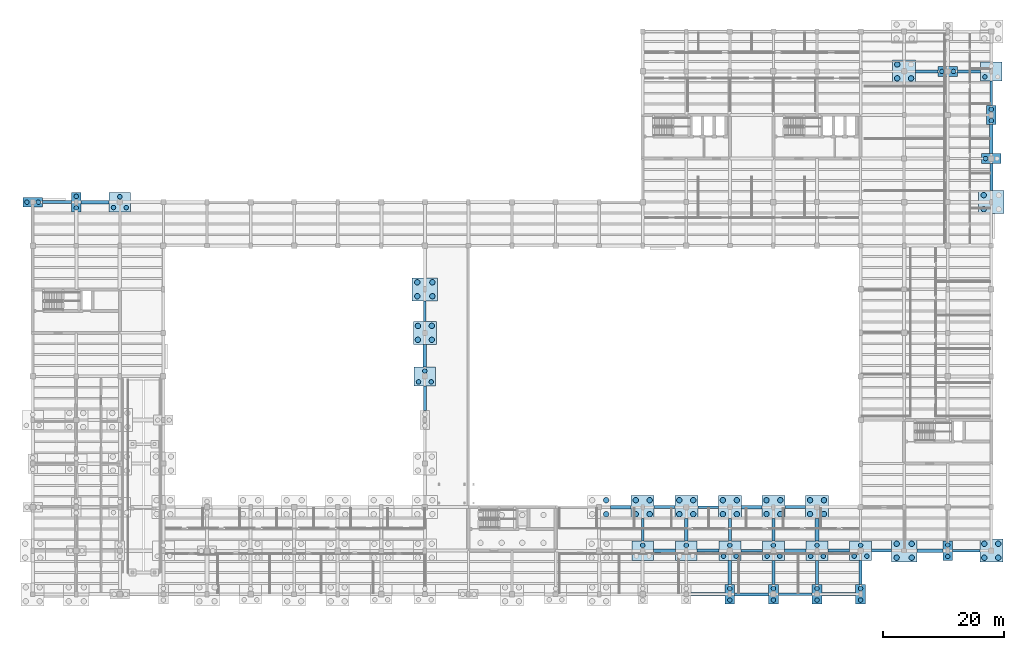
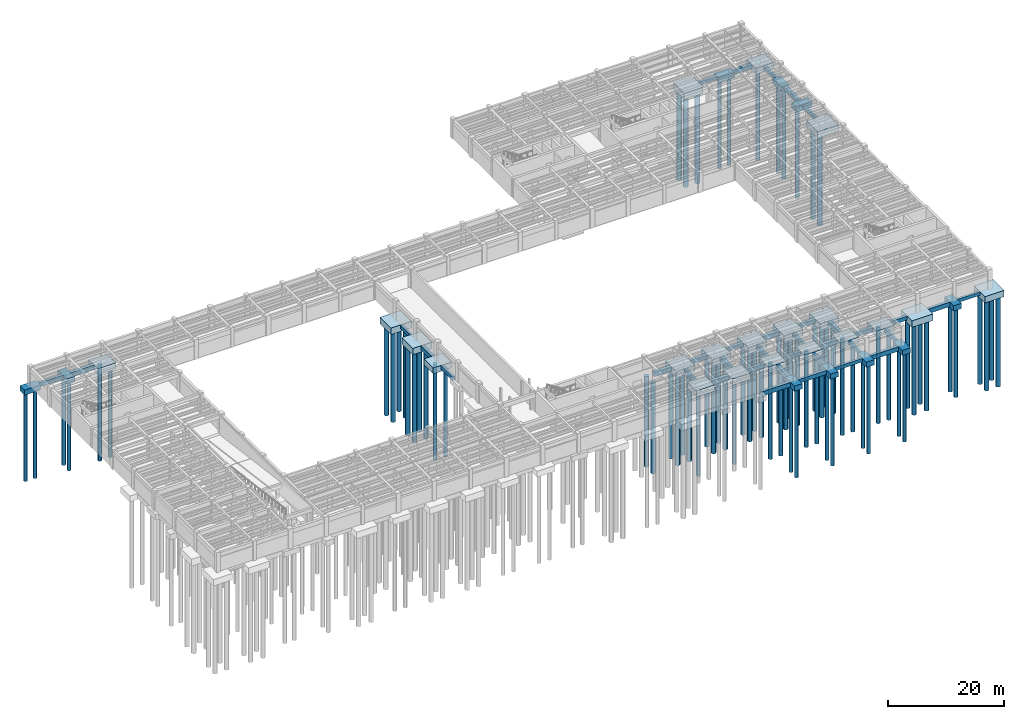
# One storey, part 3 of 33: 83 piles, 66 footings.
"""IFC4 building model written with IfcOpenShell, lengths in metres."""

import ifcopenshell
import ifcopenshell.guid

model = None  # the IFC model being written
_history = None  # IfcOwnerHistory: only IFC2X3 demands one
_inside = {}  # id of a spatial element -> (the spatial element, [elements in it])
_under = {}  # id of a project, library or spatial element -> (it, [spatial elements below it])
_declared = {}  # id of a project -> (the project, [libraries it declares])
_typed = {}  # id of a type object -> (the type object, [elements of that type])
_made_of = {}  # id of a material, layer set ... -> (it, [elements and type objects made of it])


def new_model(schema):
    """Start an empty IFC model of exactly this schema.

    Asked for "IFC4X3", IfcOpenShell would pick the latest addendum, in which some entities
    have other attributes; the version numbers below select the first issue.
    IFC2X3 requires an IfcOwnerHistory on every rooted entity: one is made here for all.
    """
    global model, _history
    if schema == "IFC4X3":
        model = ifcopenshell.file(schema_version=(4, 3, 0, 0))
    else:
        model = ifcopenshell.file(schema=schema)
    _inside.clear()
    _under.clear()
    _declared.clear()
    _typed.clear()
    _made_of.clear()
    _history = None
    if model.schema == "IFC2X3":
        org = make("IfcOrganization", Name="unknown")
        user = make(
            "IfcPersonAndOrganization",
            ThePerson=make("IfcPerson", FamilyName="unknown"),
            TheOrganization=org,
        )
        app = make(
            "IfcApplication",
            ApplicationDeveloper=org,
            Version="unknown",
            ApplicationFullName="unknown",
            ApplicationIdentifier="unknown",
        )
        _history = make(
            "IfcOwnerHistory",
            OwningUser=user,
            OwningApplication=app,
            ChangeAction="ADDED",
            CreationDate=0,
        )
    return model


def make(cls, **values):
    """One entity of the class cls with the attributes given. An attribute that is None is left unset."""
    return model.create_entity(
        cls, **{name: value for name, value in values.items() if value is not None}
    )


def rooted(cls, **values):
    """An entity with a GlobalId (a new one), such as an element, a storey or a relation."""
    return make(cls, GlobalId=ifcopenshell.guid.new(), OwnerHistory=_history, **values)


def si_unit(unit_type, name, prefix=None):
    """IfcSIUnit, for example si_unit("LENGTHUNIT", "METRE", prefix="MILLI")."""
    return make("IfcSIUnit", UnitType=unit_type, Prefix=prefix, Name=name)


def assignment(units):
    """IfcUnitAssignment: the units of a project."""
    return None if units is None else make("IfcUnitAssignment", Units=units)


def point(xyz):
    """IfcCartesianPoint."""
    return None if xyz is None else make("IfcCartesianPoint", Coordinates=xyz)


def direction(xyz):
    """IfcDirection."""
    return None if xyz is None else make("IfcDirection", DirectionRatios=xyz)


def frame(location, z_axis=None, x_axis=None):
    """IfcAxis2Placement3D, a coordinate frame: its origin and axes. An axis left out is left unset."""
    return make(
        "IfcAxis2Placement3D",
        Location=point(location),
        Axis=direction(z_axis),
        RefDirection=direction(x_axis),
    )


def frame_2d(location, x_axis=None):
    """IfcAxis2Placement2D, a coordinate frame in the plane: its origin and x axis."""
    return make(
        "IfcAxis2Placement2D", Location=point(location), RefDirection=direction(x_axis)
    )


def origin():
    """The frame at (0, 0, 0) with its axes left unset."""
    return frame((0.0, 0.0, 0.0))


def origin_2d():
    """The frame at (0, 0) in the plane with its x axis left unset."""
    return frame_2d((0.0, 0.0))


def place(relative_to, where):
    """IfcLocalPlacement: puts the frame where relative to a parent placement (None: the world)."""
    return make(
        "IfcLocalPlacement", PlacementRelTo=relative_to, RelativePlacement=where
    )


def context(
    kind, dimensions, precision=None, world=None, true_north=None, identifier=None
):
    """IfcGeometricRepresentationContext, for example the 3D "Model" context."""
    return make(
        "IfcGeometricRepresentationContext",
        ContextIdentifier=identifier,
        ContextType=kind,
        CoordinateSpaceDimension=dimensions,
        Precision=precision,
        WorldCoordinateSystem=world,
        TrueNorth=true_north,
    )


def subcontext(parent, identifier, kind, view, scale=None):
    """IfcGeometricRepresentationSubContext, for example "Body" below "Model"."""
    return make(
        "IfcGeometricRepresentationSubContext",
        ContextIdentifier=identifier,
        ContextType=kind,
        ParentContext=parent,
        TargetScale=scale,
        TargetView=view,
    )


def project(units=None, contexts=None):
    """IfcProject with its units and contexts."""
    return rooted(
        "IfcProject",
        Name="project",
        RepresentationContexts=contexts,
        UnitsInContext=assignment(units),
    )


def spatial(cls, under=None, at=None, **own):
    """A site, building, storey or space (cls), placed at a placement, below another one or the project."""
    s = rooted(cls, ObjectPlacement=at, **own)
    if under is not None:
        _under.setdefault(under.id(), (under, []))[1].append(s)
    return s


def profile(cls, at=None, kind="AREA", **sizes):
    """A parametric profile (cls). Its sizes go by their IFC names, for example OverallWidth=200.0."""
    return make(cls, ProfileType=kind, Position=at, **sizes)


def rectangle(**sizes):
    """IfcRectangleProfileDef."""
    return profile("IfcRectangleProfileDef", **sizes)


def circle(**sizes):
    """IfcCircleProfileDef."""
    return profile("IfcCircleProfileDef", **sizes)


def extrude(swept, where, along, depth):
    """IfcExtrudedAreaSolid: the profile swept, set in the frame where, extruded along a direction by depth."""
    return make(
        "IfcExtrudedAreaSolid",
        SweptArea=swept,
        Position=where,
        ExtrudedDirection=direction(along),
        Depth=depth,
    )


def shape(context_of_items, identifier, shape_type, items):
    """IfcShapeRepresentation: the items that make up one representation, for example the "Body"."""
    return make(
        "IfcShapeRepresentation",
        ContextOfItems=context_of_items,
        RepresentationIdentifier=identifier,
        RepresentationType=shape_type,
        Items=items,
    )


def material(Name=None, Category=None):
    """IfcMaterial."""
    return make("IfcMaterial", Name=Name, Category=Category)


def material_profile(
    of_material, cross_section, Name=None, Category=None, Priority=None
):
    """IfcMaterialProfile: a cross section and its material."""
    return make(
        "IfcMaterialProfile",
        Name=Name,
        Material=of_material,
        Profile=cross_section,
        Priority=Priority,
        Category=Category,
    )


def profile_set(profiles, Name=None, composite=None):
    """IfcMaterialProfileSet."""
    return make(
        "IfcMaterialProfileSet",
        Name=Name,
        MaterialProfiles=profiles,
        CompositeProfile=composite,
    )


def made_of(thing, what):
    """Note that an element or type object is made of a material, layer set ...; save() writes the relation."""
    if what is not None:
        _made_of.setdefault(what.id(), (what, []))[1].append(thing)
    return thing


def type_object(cls, material=None, **own):
    """A type object (cls), such as IfcWallType, which elements share."""
    return made_of(rooted(cls, **own), material)


def element(
    cls,
    number,
    at=None,
    inside=None,
    cuts=None,
    type_object=None,
    material=None,
    context=None,
    identifier="Body",
    shape_type=None,
    held_by="IfcProductDefinitionShape",
    body=None,
    shapes=None,
    **own,
):
    """One element of the class cls, such as IfcWall. Its Tag is "e" and its number.

    at: its placement. inside: the storey or other place that contains it. cuts: it is an
    opening in that element (IfcRelVoidsElement). A single representation is given by context,
    identifier, shape_type and body (its items); several are given by shapes. held_by: the class
    of the entity that holds the representations. save() writes the other relations.
    """
    e = rooted(cls, Tag="e%d" % number, ObjectPlacement=at, **own)
    if body is not None:
        shapes = [shape(context, identifier, shape_type, body)]
    if shapes is not None:
        e.Representation = make(held_by, Representations=shapes)
    if inside is not None:
        _inside.setdefault(inside.id(), (inside, []))[1].append(e)
    if cuts is not None:
        rooted(
            "IfcRelVoidsElement", RelatingBuildingElement=cuts, RelatedOpeningElement=e
        )
    if type_object is not None:
        _typed.setdefault(type_object.id(), (type_object, []))[1].append(e)
    return made_of(e, material)


def aggregate(whole, parts):
    """IfcRelAggregates: a whole, such as a stair, and the parts it consists of."""
    return rooted("IfcRelAggregates", RelatingObject=whole, RelatedObjects=parts)


def save(model, path):
    """Write the relations noted so far, then the file.

    IfcRelAggregates (storeys below a building ...), IfcRelContainedInSpatialStructure (elements
    in a storey), IfcRelDefinesByType, IfcRelAssociatesMaterial and IfcRelDeclares: one each for
    every whole, place, type object, material and project.
    """
    for whole, parts in _under.values():
        aggregate(whole, parts)
    for where, things in _inside.values():
        rooted(
            "IfcRelContainedInSpatialStructure",
            RelatedElements=things,
            RelatingStructure=where,
        )
    for kind, things in _typed.values():
        rooted("IfcRelDefinesByType", RelatedObjects=things, RelatingType=kind)
    for what, things in _made_of.values():
        rooted("IfcRelAssociatesMaterial", RelatedObjects=things, RelatingMaterial=what)
    for by, libraries in _declared.values():
        rooted("IfcRelDeclares", RelatingContext=by, RelatedDefinitions=libraries)
    model.write(path)


model = new_model("IFC4")

# Units and contexts
model_context = context("Model", 3, precision=1e-05, world=origin(), true_north=direction((0.0, 1.0)))
body_context = subcontext(model_context, "Body", "Model", "MODEL_VIEW")
ifc_project = project(units=[si_unit("LENGTHUNIT", "METRE"), si_unit("AREAUNIT", "SQUARE_METRE"), si_unit("VOLUMEUNIT", "CUBIC_METRE"), si_unit("PLANEANGLEUNIT", "RADIAN"), si_unit("MASSUNIT", "GRAM", prefix="KILO")], contexts=[model_context])

# Site, building, storey
site_placement = place(None, origin())
site = spatial("IfcSite", under=ifc_project, at=site_placement, CompositionType="ELEMENT")
building_placement = place(site_placement, origin())
building = spatial("IfcBuilding", under=site, at=building_placement, Name="Mithqara Police Headquarters", CompositionType="ELEMENT")
storey_placement = place(building_placement, frame((0.0, 0.0, -4.199951171875)))
storey = spatial("IfcBuildingStorey", under=building, at=storey_placement, Name="B1", CompositionType="ELEMENT", Elevation=-4.199951171875)

# Footings
ifc_material = material(Name="Concrete C40/50", Category="concrete")
footing_type_1 = type_object("IfcFootingType", Name="GROUND BEAM 450X750", PredefinedType="FOOTING_BEAM", material=ifc_material)
footing_1_placement = place(storey_placement, frame((72.60009765625, 67.800048828125, -0.75), z_axis=(0.0, 0.0, 1.0), x_axis=(1.0, 0.0, 0.0)))
element("IfcFooting", 1, at=footing_1_placement, inside=storey, type_object=footing_type_1, Name="B1 Ground Tie Beam 11/K-L", PredefinedType="FOOTING_BEAM", context=body_context, shape_type="SweptSolid", body=[
    extrude(rectangle(XDim=0.449951171875, YDim=3.39990234375, at=origin_2d()), origin(), (0.0, 0.0, 1.0), 0.75),
])
footing_2_placement = place(storey_placement, frame((108.60009765625, 31.64990234375, -0.75), z_axis=(0.0, 0.0, 1.0), x_axis=(1.0, 0.0, 0.0)))
element("IfcFooting", 2, at=footing_2_placement, inside=storey, type_object=footing_type_1, Name="B1 Ground Tie Beam 16/E-F", PredefinedType="FOOTING_BEAM", context=body_context, shape_type="SweptSolid", body=[
    extrude(rectangle(XDim=0.449951171875, YDim=3.699951171875, at=origin_2d()), origin(), (0.0, 0.0, 1.0), 0.75),
])
footing_3_placement = place(storey_placement, frame((119.39990234375, 35.39990234375, -0.75), z_axis=(0.0, 0.0, 1.0), x_axis=(1.0, 0.0, 0.0)))
element("IfcFooting", 3, at=footing_3_placement, inside=storey, type_object=footing_type_1, Name="B1 Ground Tie Beam 17-18/F", PredefinedType="FOOTING_BEAM", context=body_context, shape_type="SweptSolid", body=[
    extrude(rectangle(XDim=3.39990234375, YDim=0.449951171875, at=origin_2d()), origin(), (0.0, 0.0, 1.0), 0.75),
])
footing_4_placement = place(storey_placement, frame((126.60009765625, 28.199951171875, -0.75), z_axis=(0.0, 0.0, 1.0), x_axis=(1.0, 0.0, 0.0)))
element("IfcFooting", 4, at=footing_4_placement, inside=storey, type_object=footing_type_1, Name="B1 Ground Tie Beam 18-19/E", PredefinedType="FOOTING_BEAM", context=body_context, shape_type="SweptSolid", body=[
    extrude(rectangle(XDim=3.60009765625, YDim=0.449951171875, at=origin_2d()), origin(), (0.0, 0.0, 1.0), 0.75),
])
footing_5_placement = place(storey_placement, frame((133.800048828125, 21.0, -0.75), z_axis=(0.0, 0.0, 1.0), x_axis=(1.0, 0.0, 0.0)))
element("IfcFooting", 5, at=footing_5_placement, inside=storey, type_object=footing_type_1, Name="B1 Ground Tie Beam 19-20/D", PredefinedType="FOOTING_BEAM", context=body_context, shape_type="SweptSolid", body=[
    extrude(rectangle(XDim=5.60009765625, YDim=0.449951171875, at=origin_2d()), origin(), (0.0, 0.0, 1.0), 0.75),
])
footing_6_placement = place(storey_placement, frame((130.199951171875, 31.64990234375, -0.75), z_axis=(0.0, 0.0, 1.0), x_axis=(1.0, 0.0, 0.0)))
element("IfcFooting", 6, at=footing_6_placement, inside=storey, type_object=footing_type_1, Name="B1 Ground Tie Beam 19/E-F", PredefinedType="FOOTING_BEAM", context=body_context, shape_type="SweptSolid", body=[
    extrude(rectangle(XDim=0.449951171875, YDim=3.699951171875, at=origin_2d()), origin(), (0.0, 0.0, 1.0), 0.75),
])
for number, where, z_axis, x_axis, name in (
    (7, (137.39990234375, 24.60009765625, -0.75), (0.0, 0.0, 1.0), (1.0, 0.0, 0.0), "B1 Ground Tie Beam 20/D-E"),
    (8, (144.60009765625, 24.60009765625, -0.75), (0.0, 0.0, 1.0), (1.0, 0.0, 0.0), "B1 Ground Tie Beam 21/D-E"),
):
    element("IfcFooting", number, at=place(storey_placement, frame(where, z_axis=z_axis, x_axis=x_axis)), inside=storey, type_object=footing_type_1, Name=name, PredefinedType="FOOTING_BEAM", context=body_context, shape_type="SweptSolid", body=[
        extrude(rectangle(XDim=0.449951171875, YDim=4.0, at=origin_2d()), origin(), (0.0, 0.0, 1.0), 0.75),
    ])
footing_7_placement = place(storey_placement, frame((155.550048828125, 107.39990234375, -0.75), z_axis=(0.0, 0.0, 1.0), x_axis=(1.0, 0.0, 0.0)))
element("IfcFooting", 9, at=footing_7_placement, inside=storey, type_object=footing_type_1, Name="B1 Ground Tie Beam 22-23/R", PredefinedType="FOOTING_BEAM", context=body_context, shape_type="SweptSolid", body=[
    extrude(rectangle(XDim=3.699951171875, YDim=0.449951171875, at=origin_2d()), origin(), (0.0, 0.0, 1.0), 0.75),
])
footing_8_placement = place(storey_placement, frame((162.050048828125, 28.199951171875, -0.75), z_axis=(0.0, 0.0, 1.0), x_axis=(1.0, 0.0, 0.0)))
element("IfcFooting", 10, at=footing_8_placement, inside=storey, type_object=footing_type_1, Name="B1 Ground Tie Beam 23-24/E", PredefinedType="FOOTING_BEAM", context=body_context, shape_type="SweptSolid", body=[
    extrude(rectangle(XDim=4.5, YDim=0.449951171875, at=origin_2d()), origin(), (0.0, 0.0, 1.0), 0.75),
])
footing_9_placement = place(storey_placement, frame((166.199951171875, 103.800048828125, -0.75), z_axis=(0.0, 0.0, 1.0), x_axis=(1.0, 0.0, 0.0)))
element("IfcFooting", 11, at=footing_9_placement, inside=storey, type_object=footing_type_1, Name="B1 Ground Tie Beam 24/Q-R", PredefinedType="FOOTING_BEAM", context=body_context, shape_type="SweptSolid", body=[
    extrude(rectangle(XDim=0.449951171875, YDim=4.0, at=origin_2d()), origin(), (0.0, 0.0, 1.0), 0.75),
])
footing_type_2 = type_object("IfcFootingType", Name="GROUND BEAM 500X850", PredefinedType="FOOTING_BEAM", material=ifc_material)
footing_10_placement = place(storey_placement, frame((11.800048828125, 85.800048828125, -0.85009765625), z_axis=(0.0, 0.0, 1.0), x_axis=(1.0, 0.0, 0.0)))
element("IfcFooting", 12, at=footing_10_placement, inside=storey, type_object=footing_type_2, Name="B1 Ground Tie Beam 2-3/N", PredefinedType="FOOTING_BEAM", context=body_context, shape_type="SweptSolid", body=[
    extrude(rectangle(XDim=4.800048828125, YDim=0.5, at=origin_2d()), origin(), (0.0, 0.0, 1.0), 0.85009765625),
])
footing_11_placement = place(storey_placement, frame((72.60009765625, 53.39990234375, -0.85009765625), z_axis=(0.0, 0.0, 1.0), x_axis=(1.0, 0.0, 0.0)))
element("IfcFooting", 13, at=footing_11_placement, inside=storey, type_object=footing_type_2, Name="B1 Ground Tie Beam 11/H-J", PredefinedType="FOOTING_BEAM", context=body_context, shape_type="SweptSolid", body=[
    extrude(rectangle(XDim=0.5, YDim=4.0, at=origin_2d()), origin(), (0.0, 0.0, 1.0), 0.85009765625),
])
footing_12_placement = place(storey_placement, frame((112.199951171875, 35.39990234375, -0.85009765625), z_axis=(0.0, 0.0, 1.0), x_axis=(1.0, 0.0, 0.0)))
element("IfcFooting", 14, at=footing_12_placement, inside=storey, type_object=footing_type_2, Name="B1 Ground Tie Beam 16-17/F", PredefinedType="FOOTING_BEAM", context=body_context, shape_type="SweptSolid", body=[
    extrude(rectangle(XDim=3.39990234375, YDim=0.5, at=origin_2d()), origin(), (0.0, 0.0, 1.0), 0.85009765625),
])
footing_13_placement = place(storey_placement, frame((119.39990234375, 28.199951171875, -0.85009765625), z_axis=(0.0, 0.0, 1.0), x_axis=(1.0, 0.0, 0.0)))
element("IfcFooting", 15, at=footing_13_placement, inside=storey, type_object=footing_type_2, Name="B1 Ground Tie Beam 17-18/E", PredefinedType="FOOTING_BEAM", context=body_context, shape_type="SweptSolid", body=[
    extrude(rectangle(XDim=3.60009765625, YDim=0.5, at=origin_2d()), origin(), (0.0, 0.0, 1.0), 0.85009765625),
])
footing_14_placement = place(storey_placement, frame((126.60009765625, 21.0, -0.85009765625), z_axis=(0.0, 0.0, 1.0), x_axis=(1.0, 0.0, 0.0)))
element("IfcFooting", 16, at=footing_14_placement, inside=storey, type_object=footing_type_2, Name="B1 Ground Tie Beam 18-19/D", PredefinedType="FOOTING_BEAM", context=body_context, shape_type="SweptSolid", body=[
    extrude(rectangle(XDim=5.60009765625, YDim=0.5, at=origin_2d()), origin(), (0.0, 0.0, 1.0), 0.85009765625),
])
footing_15_placement = place(storey_placement, frame((123.0, 31.64990234375, -0.85009765625), z_axis=(0.0, 0.0, 1.0), x_axis=(1.0, 0.0, 0.0)))
element("IfcFooting", 17, at=footing_15_placement, inside=storey, type_object=footing_type_2, Name="B1 Ground Tie Beam 18/E-F", PredefinedType="FOOTING_BEAM", context=body_context, shape_type="SweptSolid", body=[
    extrude(rectangle(XDim=0.5, YDim=3.699951171875, at=origin_2d()), origin(), (0.0, 0.0, 1.0), 0.85009765625),
])
footing_16_placement = place(storey_placement, frame((130.199951171875, 24.60009765625, -0.85009765625), z_axis=(0.0, 0.0, 1.0), x_axis=(1.0, 0.0, 0.0)))
element("IfcFooting", 18, at=footing_16_placement, inside=storey, type_object=footing_type_2, Name="B1 Ground Tie Beam 19/D-E", PredefinedType="FOOTING_BEAM", context=body_context, shape_type="SweptSolid", body=[
    extrude(rectangle(XDim=0.5, YDim=4.0, at=origin_2d()), origin(), (0.0, 0.0, 1.0), 0.85009765625),
])
footing_17_placement = place(storey_placement, frame((133.800048828125, 35.39990234375, -0.85009765625), z_axis=(0.0, 0.0, 1.0), x_axis=(1.0, 0.0, 0.0)))
element("IfcFooting", 19, at=footing_17_placement, inside=storey, type_object=footing_type_2, Name="B1 Ground Tie Beam 19-20/F", PredefinedType="FOOTING_BEAM", context=body_context, shape_type="SweptSolid", body=[
    extrude(rectangle(XDim=3.39990234375, YDim=0.5, at=origin_2d()), origin(), (0.0, 0.0, 1.0), 0.85009765625),
])
footing_18_placement = place(storey_placement, frame((141.0, 28.199951171875, -0.85009765625), z_axis=(0.0, 0.0, 1.0), x_axis=(1.0, 0.0, 0.0)))
element("IfcFooting", 20, at=footing_18_placement, inside=storey, type_object=footing_type_2, Name="B1 Ground Tie Beam 20-21/E", PredefinedType="FOOTING_BEAM", context=body_context, shape_type="SweptSolid", body=[
    extrude(rectangle(XDim=3.60009765625, YDim=0.5, at=origin_2d()), origin(), (0.0, 0.0, 1.0), 0.85009765625),
])
footing_19_placement = place(storey_placement, frame((148.050048828125, 28.199951171875, -0.85009765625), z_axis=(0.0, 0.0, 1.0), x_axis=(1.0, 0.0, 0.0)))
element("IfcFooting", 21, at=footing_19_placement, inside=storey, type_object=footing_type_2, Name="B1 Ground Tie Beam 21-22/E", PredefinedType="FOOTING_BEAM", context=body_context, shape_type="SweptSolid", body=[
    extrude(rectangle(XDim=3.300048828125, YDim=0.5, at=origin_2d()), origin(), (0.0, 0.0, 1.0), 0.85009765625),
])
footing_20_placement = place(storey_placement, frame((162.5, 107.39990234375, -0.85009765625), z_axis=(0.0, 0.0, 1.0), x_axis=(1.0, 0.0, 0.0)))
element("IfcFooting", 22, at=footing_20_placement, inside=storey, type_object=footing_type_2, Name="B1 Ground Tie Beam 23-24/R", PredefinedType="FOOTING_BEAM", context=body_context, shape_type="SweptSolid", body=[
    extrude(rectangle(XDim=3.800048828125, YDim=0.5, at=origin_2d()), origin(), (0.0, 0.0, 1.0), 0.85009765625),
])
footing_21_placement = place(storey_placement, frame((166.199951171875, 89.949951171875, -0.85009765625), z_axis=(0.0, 0.0, 1.0), x_axis=(1.0, 0.0, 0.0)))
element("IfcFooting", 23, at=footing_21_placement, inside=storey, type_object=footing_type_2, Name="B1 Ground Tie Beam 24/N-P", PredefinedType="FOOTING_BEAM", context=body_context, shape_type="SweptSolid", body=[
    extrude(rectangle(XDim=0.5, YDim=4.5, at=origin_2d()), origin(), (0.0, 0.0, 1.0), 0.85009765625),
])
footing_type_3 = type_object("IfcFootingType", Name="GROUND BEAM 600X950", PredefinedType="FOOTING_BEAM", material=ifc_material)
footing_22_placement = place(storey_placement, frame((18.10009765625, 85.800048828125, -0.9501953125), z_axis=(0.0, 0.0, 1.0), x_axis=(1.0, 0.0, 0.0)))
element("IfcFooting", 24, at=footing_22_placement, inside=storey, type_object=footing_type_3, Name="B1 Ground Tie Beam 3-4/N", PredefinedType="FOOTING_BEAM", context=body_context, shape_type="SweptSolid", body=[
    extrude(rectangle(XDim=4.60009765625, YDim=0.60009765625, at=origin_2d()), origin(), (0.0, 0.0, 1.0), 0.949951171875),
])
footing_23_placement = place(storey_placement, frame((72.60009765625, 60.449951171875, -0.9501953125), z_axis=(0.0, 0.0, 1.0), x_axis=(1.0, 0.0, 0.0)))
element("IfcFooting", 25, at=footing_23_placement, inside=storey, type_object=footing_type_3, Name="B1 Ground Tie Beam 11/J-K", PredefinedType="FOOTING_BEAM", context=body_context, shape_type="SweptSolid", body=[
    extrude(rectangle(XDim=0.60009765625, YDim=3.699951171875, at=origin_2d()), origin(), (0.0, 0.0, 1.0), 0.949951171875),
])
footing_24_placement = place(storey_placement, frame((105.0, 35.39990234375, -0.9501953125), z_axis=(0.0, 0.0, 1.0), x_axis=(1.0, 0.0, 0.0)))
element("IfcFooting", 26, at=footing_24_placement, inside=storey, type_object=footing_type_3, Name="B1 Ground Tie Beam 15-16/F", PredefinedType="FOOTING_BEAM", context=body_context, shape_type="SweptSolid", body=[
    extrude(rectangle(XDim=3.39990234375, YDim=0.60009765625, at=origin_2d()), origin(), (0.0, 0.0, 1.0), 0.949951171875),
])
footing_25_placement = place(storey_placement, frame((112.199951171875, 28.199951171875, -0.9501953125), z_axis=(0.0, 0.0, 1.0), x_axis=(1.0, 0.0, 0.0)))
element("IfcFooting", 27, at=footing_25_placement, inside=storey, type_object=footing_type_3, Name="B1 Ground Tie Beam 16-17/E", PredefinedType="FOOTING_BEAM", context=body_context, shape_type="SweptSolid", body=[
    extrude(rectangle(XDim=3.60009765625, YDim=0.60009765625, at=origin_2d()), origin(), (0.0, 0.0, 1.0), 0.949951171875),
])
footing_26_placement = place(storey_placement, frame((119.39990234375, 21.0, -0.9501953125), z_axis=(0.0, 0.0, 1.0), x_axis=(1.0, 0.0, 0.0)))
element("IfcFooting", 28, at=footing_26_placement, inside=storey, type_object=footing_type_3, Name="B1 Ground Tie Beam 17-18/D", PredefinedType="FOOTING_BEAM", context=body_context, shape_type="SweptSolid", body=[
    extrude(rectangle(XDim=5.60009765625, YDim=0.60009765625, at=origin_2d()), origin(), (0.0, 0.0, 1.0), 0.949951171875),
])
footing_27_placement = place(storey_placement, frame((115.800048828125, 31.64990234375, -0.9501953125), z_axis=(0.0, 0.0, 1.0), x_axis=(1.0, 0.0, 0.0)))
element("IfcFooting", 29, at=footing_27_placement, inside=storey, type_object=footing_type_3, Name="B1 Ground Tie Beam 17/E-F", PredefinedType="FOOTING_BEAM", context=body_context, shape_type="SweptSolid", body=[
    extrude(rectangle(XDim=0.60009765625, YDim=3.699951171875, at=origin_2d()), origin(), (0.0, 0.0, 1.0), 0.949951171875),
])
footing_28_placement = place(storey_placement, frame((123.0, 24.60009765625, -0.9501953125), z_axis=(0.0, 0.0, 1.0), x_axis=(1.0, 0.0, 0.0)))
element("IfcFooting", 30, at=footing_28_placement, inside=storey, type_object=footing_type_3, Name="B1 Ground Tie Beam 18/D-E", PredefinedType="FOOTING_BEAM", context=body_context, shape_type="SweptSolid", body=[
    extrude(rectangle(XDim=0.60009765625, YDim=4.0, at=origin_2d()), origin(), (0.0, 0.0, 1.0), 0.949951171875),
])
footing_29_placement = place(storey_placement, frame((126.60009765625, 35.39990234375, -0.9501953125), z_axis=(0.0, 0.0, 1.0), x_axis=(1.0, 0.0, 0.0)))
element("IfcFooting", 31, at=footing_29_placement, inside=storey, type_object=footing_type_3, Name="B1 Ground Tie Beam 18-19/F", PredefinedType="FOOTING_BEAM", context=body_context, shape_type="SweptSolid", body=[
    extrude(rectangle(XDim=3.39990234375, YDim=0.60009765625, at=origin_2d()), origin(), (0.0, 0.0, 1.0), 0.949951171875),
])
footing_30_placement = place(storey_placement, frame((133.800048828125, 28.199951171875, -0.9501953125), z_axis=(0.0, 0.0, 1.0), x_axis=(1.0, 0.0, 0.0)))
element("IfcFooting", 32, at=footing_30_placement, inside=storey, type_object=footing_type_3, Name="B1 Ground Tie Beam 19-20/E", PredefinedType="FOOTING_BEAM", context=body_context, shape_type="SweptSolid", body=[
    extrude(rectangle(XDim=3.60009765625, YDim=0.60009765625, at=origin_2d()), origin(), (0.0, 0.0, 1.0), 0.949951171875),
])
footing_31_placement = place(storey_placement, frame((141.0, 21.0, -0.9501953125), z_axis=(0.0, 0.0, 1.0), x_axis=(1.0, 0.0, 0.0)))
element("IfcFooting", 33, at=footing_31_placement, inside=storey, type_object=footing_type_3, Name="B1 Ground Tie Beam 20-21/D", PredefinedType="FOOTING_BEAM", context=body_context, shape_type="SweptSolid", body=[
    extrude(rectangle(XDim=5.60009765625, YDim=0.60009765625, at=origin_2d()), origin(), (0.0, 0.0, 1.0), 0.949951171875),
])
footing_32_placement = place(storey_placement, frame((137.39990234375, 31.64990234375, -0.9501953125), z_axis=(0.0, 0.0, 1.0), x_axis=(1.0, 0.0, 0.0)))
element("IfcFooting", 34, at=footing_32_placement, inside=storey, type_object=footing_type_3, Name="B1 Ground Tie Beam 20/E-F", PredefinedType="FOOTING_BEAM", context=body_context, shape_type="SweptSolid", body=[
    extrude(rectangle(XDim=0.60009765625, YDim=3.699951171875, at=origin_2d()), origin(), (0.0, 0.0, 1.0), 0.949951171875),
])
footing_33_placement = place(storey_placement, frame((156.050048828125, 28.199951171875, -0.9501953125), z_axis=(0.0, 0.0, 1.0), x_axis=(1.0, 0.0, 0.0)))
element("IfcFooting", 35, at=footing_33_placement, inside=storey, type_object=footing_type_3, Name="B1 Ground Tie Beam 22-23/E", PredefinedType="FOOTING_BEAM", context=body_context, shape_type="SweptSolid", body=[
    extrude(rectangle(XDim=4.300048828125, YDim=0.60009765625, at=origin_2d()), origin(), (0.0, 0.0, 1.0), 0.949951171875),
])
footing_34_placement = place(storey_placement, frame((166.199951171875, 96.199951171875, -0.9501953125), z_axis=(0.0, 0.0, 1.0), x_axis=(1.0, 0.0, 0.0)))
element("IfcFooting", 36, at=footing_34_placement, inside=storey, type_object=footing_type_3, Name="B1 Ground Tie Beam 24/P-Q", PredefinedType="FOOTING_BEAM", context=body_context, shape_type="SweptSolid", body=[
    extrude(rectangle(XDim=0.60009765625, YDim=4.800048828125, at=origin_2d()), origin(), (0.0, 0.0, 1.0), 0.949951171875),
])
footing_type_4 = type_object("IfcFootingType", Name="PILE CAP 2P 1600X3200X1100", PredefinedType="PILE_CAP", material=ifc_material)
for number, where, z_axis, x_axis, name in (
    (37, (15.0, 85.800048828125, -1.10009765625), (0.0, 0.0, 1.0), (1.0, 0.0, 0.0), "B1 Pile Cap 3/N"),
    (38, (123.0, 21.0, -1.10009765625), (0.0, 0.0, 1.0), (1.0, 0.0, 0.0), "B1 Pile Cap 18/D"),
    (39, (130.199951171875, 21.0, -1.10009765625), (0.0, 0.0, 1.0), (1.0, 0.0, 0.0), "B1 Pile Cap 19/D"),
    (40, (137.39990234375, 21.0, -1.10009765625), (0.0, 0.0, 1.0), (1.0, 0.0, 0.0), "B1 Pile Cap 20/D"),
    (41, (144.60009765625, 21.0, -1.10009765625), (0.0, 0.0, 1.0), (1.0, 0.0, 0.0), "B1 Pile Cap 21/D"),
    (42, (159.0, 28.199951171875, -1.10009765625), (0.0, 0.0, 1.0), (1.0, 0.0, 0.0), "B1 Pile Cap 23/E"),
    (43, (166.199951171875, 100.199951171875, -1.10009765625), (0.0, 0.0, 1.0), (1.0, 0.0, 0.0), "B1 Pile Cap 24/Q"),
):
    element("IfcFooting", number, at=place(storey_placement, frame(where, z_axis=z_axis, x_axis=x_axis)), inside=storey, type_object=footing_type_4, Name=name, PredefinedType="PILE_CAP", context=body_context, shape_type="SweptSolid", body=[
        extrude(rectangle(XDim=1.60009765625, YDim=3.199951171875, at=origin_2d()), origin(), (0.0, 0.0, 1.0), 1.10009765625),
    ])
footing_type_5 = type_object("IfcFootingType", Name="PILE CAP 2P 3200X1600X1100", PredefinedType="PILE_CAP", material=ifc_material)
for number, where, z_axis, x_axis, name in (
    (44, (7.800048828125, 85.800048828125, -1.10009765625), (0.0, 0.0, 1.0), (1.0, 0.0, 0.0), "B1 Pile Cap 2/N"),
    (45, (159.0, 107.39990234375, -1.10009765625), (0.0, 0.0, 1.0), (1.0, 0.0, 0.0), "B1 Pile Cap 23/R"),
    (46, (166.199951171875, 93.0, -1.10009765625), (0.0, 0.0, 1.0), (1.0, 0.0, 0.0), "B1 Pile Cap 24/P"),
):
    element("IfcFooting", number, at=place(storey_placement, frame(where, z_axis=z_axis, x_axis=x_axis)), inside=storey, type_object=footing_type_5, Name=name, PredefinedType="PILE_CAP", context=body_context, shape_type="SweptSolid", body=[
        extrude(rectangle(XDim=3.199951171875, YDim=1.60009765625, at=origin_2d()), origin(), (0.0, 0.0, 1.0), 1.10009765625),
    ])
footing_type_6 = type_object("IfcFootingType", Name="PILE CAP 3P 3600X3200X1250", PredefinedType="PILE_CAP", material=ifc_material)
for number, where, z_axis, x_axis, name in (
    (47, (22.199951171875, 85.800048828125, -1.25), (0.0, 0.0, 1.0), (1.0, 0.0, 0.0), "B1 Pile Cap 4/N"),
    (48, (72.60009765625, 57.0, -1.25), (0.0, 0.0, 1.0), (1.0, 0.0, 0.0), "B1 Pile Cap 11/J"),
    (49, (108.60009765625, 28.199951171875, -1.25), (0.0, 0.0, 1.0), (1.0, 0.0, 0.0), "B1 Pile Cap 16/E"),
    (50, (115.800048828125, 28.199951171875, -1.25), (0.0, 0.0, 1.0), (1.0, 0.0, 0.0), "B1 Pile Cap 17/E"),
    (51, (123.0, 28.199951171875, -1.25), (0.0, 0.0, 1.0), (1.0, 0.0, 0.0), "B1 Pile Cap 18/E"),
    (52, (130.199951171875, 28.199951171875, -1.25), (0.0, 0.0, 1.0), (1.0, 0.0, 0.0), "B1 Pile Cap 19/E"),
    (53, (137.39990234375, 28.199951171875, -1.25), (0.0, 0.0, 1.0), (1.0, 0.0, 0.0), "B1 Pile Cap 20/E"),
    (54, (144.60009765625, 28.199951171875, -1.25), (0.0, 0.0, 1.0), (1.0, 0.0, 0.0), "B1 Pile Cap 21/E"),
    (55, (166.199951171875, 107.39990234375, -1.25), (0.0, 0.0, 1.0), (1.0, 0.0, 0.0), "B1 Pile Cap 24/R"),
):
    element("IfcFooting", number, at=place(storey_placement, frame(where, z_axis=z_axis, x_axis=x_axis)), inside=storey, type_object=footing_type_6, Name=name, PredefinedType="PILE_CAP", context=body_context, shape_type="SweptSolid", body=[
        extrude(rectangle(XDim=3.60009765625, YDim=3.199951171875, at=origin_2d()), origin(), (0.0, 0.0, 1.0), 1.25),
    ])
footing_type_7 = type_object("IfcFootingType", Name="PILE CAP 4P 3800X3800X1350", PredefinedType="PILE_CAP", material=ifc_material)
for number, where, z_axis, x_axis, name in (
    (56, (72.60009765625, 64.199951171875, -1.35009765625), (0.0, 0.0, 1.0), (1.0, 0.0, 0.0), "B1 Pile Cap 11/K"),
    (57, (108.60009765625, 35.39990234375, -1.35009765625), (0.0, 0.0, 1.0), (1.0, 0.0, 0.0), "B1 Pile Cap 16/F"),
    (58, (115.800048828125, 35.39990234375, -1.35009765625), (0.0, 0.0, 1.0), (1.0, 0.0, 0.0), "B1 Pile Cap 17/F"),
    (59, (123.0, 35.39990234375, -1.35009765625), (0.0, 0.0, 1.0), (1.0, 0.0, 0.0), "B1 Pile Cap 18/F"),
    (60, (130.199951171875, 35.39990234375, -1.35009765625), (0.0, 0.0, 1.0), (1.0, 0.0, 0.0), "B1 Pile Cap 19/F"),
    (61, (137.39990234375, 35.39990234375, -1.35009765625), (0.0, 0.0, 1.0), (1.0, 0.0, 0.0), "B1 Pile Cap 20/F"),
    (62, (151.800048828125, 107.39990234375, -1.35009765625), (0.0, 0.0, 1.0), (1.0, 0.0, 0.0), "B1 Pile Cap 22/R"),
    (63, (166.199951171875, 28.199951171875, -1.35009765625), (0.0, 0.0, 1.0), (1.0, 0.0, 0.0), "B1 Pile Cap 24/E"),
):
    element("IfcFooting", number, at=place(storey_placement, frame(where, z_axis=z_axis, x_axis=x_axis)), inside=storey, type_object=footing_type_7, Name=name, PredefinedType="PILE_CAP", context=body_context, shape_type="SweptSolid", body=[
        extrude(rectangle(XDim=3.800048828125, YDim=3.800048828125, at=origin_2d()), origin(), (0.0, 0.0, 1.0), 1.35009765625),
    ])
footing_type_8 = type_object("IfcFootingType", Name="PILE CAP 4P 4200X3800X1400", PredefinedType="PILE_CAP", material=ifc_material)
for number, where, z_axis, x_axis, name in (
    (64, (72.60009765625, 71.39990234375, -1.39990234375), (0.0, 0.0, 1.0), (1.0, 0.0, 0.0), "B1 Pile Cap 11/L"),
    (65, (151.800048828125, 28.199951171875, -1.39990234375), (0.0, 0.0, 1.0), (1.0, 0.0, 0.0), "B1 Pile Cap 22/E"),
    (66, (166.199951171875, 85.800048828125, -1.39990234375), (0.0, 0.0, 1.0), (1.0, 0.0, 0.0), "B1 Pile Cap 24/N"),
):
    element("IfcFooting", number, at=place(storey_placement, frame(where, z_axis=z_axis, x_axis=x_axis)), inside=storey, type_object=footing_type_8, Name=name, PredefinedType="PILE_CAP", context=body_context, shape_type="SweptSolid", body=[
        extrude(rectangle(XDim=4.199951171875, YDim=3.800048828125, at=origin_2d()), origin(), (0.0, 0.0, 1.0), 1.39990234375),
    ])

# Piles
ifc_material_profile_1 = material_profile(ifc_material, circle(Radius=0.375, at=origin_2d()), Name="PILE D750")
ifc_profile_set_1 = profile_set([ifc_material_profile_1], Name="Concrete C40/50")
pile_type_1 = type_object("IfcPileType", Name="PILE D750 18M", PredefinedType="BORED", material=ifc_profile_set_1)
for number, where, z_axis, x_axis, name in (
    (67, (6.85009765625, 85.800048828125, -0.949951171875), (0.0, 0.0, -1.0), (1.0, 0.0, 0.0), "Bored Pile 2/N-1"),
    (68, (8.75, 85.800048828125, -0.949951171875), (0.0, 0.0, -1.0), (1.0, 0.0, 0.0), "Bored Pile 2/N-2"),
    (69, (15.0, 84.85009765625, -0.949951171875), (0.0, 0.0, -1.0), (1.0, 0.0, 0.0), "Bored Pile 3/N-1"),
    (70, (15.0, 86.75, -0.949951171875), (0.0, 0.0, -1.0), (1.0, 0.0, 0.0), "Bored Pile 3/N-2"),
    (71, (21.14990234375, 84.89990234375, -1.10009765625), (0.0, 0.0, -1.0), (1.0, 0.0, 0.0), "Bored Pile 4/N-1"),
    (72, (23.25, 84.89990234375, -1.10009765625), (0.0, 0.0, -1.0), (1.0, 0.0, 0.0), "Bored Pile 4/N-2"),
    (73, (22.199951171875, 86.699951171875, -1.10009765625), (0.0, 0.0, -1.0), (1.0, 0.0, 0.0), "Bored Pile 4/N-3"),
    (74, (71.550048828125, 56.10009765625, -1.10009765625), (0.0, 0.0, -1.0), (1.0, 0.0, 0.0), "Bored Pile 11/J-1"),
    (75, (73.64990234375, 56.10009765625, -1.10009765625), (0.0, 0.0, -1.0), (1.0, 0.0, 0.0), "Bored Pile 11/J-2"),
    (76, (72.60009765625, 57.89990234375, -1.10009765625), (0.0, 0.0, -1.0), (1.0, 0.0, 0.0), "Bored Pile 11/J-3"),
    (77, (108.60009765625, 29.10009765625, -1.10009765625), (0.0, 0.0, -1.0), (1.0, 0.0, 0.0), "Bored Pile 16/E-3"),
    (78, (115.800048828125, 29.10009765625, -1.10009765625), (0.0, 0.0, -1.0), (1.0, 0.0, 0.0), "Bored Pile 17/E-3"),
    (79, (123.0, 20.050048828125, -0.949951171875), (0.0, 0.0, -1.0), (1.0, 0.0, 0.0), "Bored Pile 18/D-1"),
    (80, (123.0, 21.949951171875, -0.949951171875), (0.0, 0.0, -1.0), (1.0, 0.0, 0.0), "Bored Pile 18/D-2"),
    (81, (121.949951171875, 27.300048828125, -1.10009765625), (0.0, 0.0, -1.0), (1.0, 0.0, 0.0), "Bored Pile 18/E-1"),
    (82, (124.050048828125, 27.300048828125, -1.10009765625), (0.0, 0.0, -1.0), (1.0, 0.0, 0.0), "Bored Pile 18/E-2"),
    (83, (123.0, 29.10009765625, -1.10009765625), (0.0, 0.0, -1.0), (1.0, 0.0, 0.0), "Bored Pile 18/E-3"),
    (84, (130.199951171875, 20.050048828125, -0.949951171875), (0.0, 0.0, -1.0), (1.0, 0.0, 0.0), "Bored Pile 19/D-1"),
    (85, (130.199951171875, 21.949951171875, -0.949951171875), (0.0, 0.0, -1.0), (1.0, 0.0, 0.0), "Bored Pile 19/D-2"),
    (86, (129.14990234375, 27.300048828125, -1.10009765625), (0.0, 0.0, -1.0), (1.0, 0.0, 0.0), "Bored Pile 19/E-1"),
    (87, (131.25, 27.300048828125, -1.10009765625), (0.0, 0.0, -1.0), (1.0, 0.0, 0.0), "Bored Pile 19/E-2"),
    (88, (130.199951171875, 29.10009765625, -1.10009765625), (0.0, 0.0, -1.0), (1.0, 0.0, 0.0), "Bored Pile 19/E-3"),
    (89, (137.39990234375, 20.050048828125, -0.949951171875), (0.0, 0.0, -1.0), (1.0, 0.0, 0.0), "Bored Pile 20/D-1"),
    (90, (137.39990234375, 21.949951171875, -0.949951171875), (0.0, 0.0, -1.0), (1.0, 0.0, 0.0), "Bored Pile 20/D-2"),
    (91, (136.35009765625, 27.300048828125, -1.10009765625), (0.0, 0.0, -1.0), (1.0, 0.0, 0.0), "Bored Pile 20/E-1"),
    (92, (138.449951171875, 27.300048828125, -1.10009765625), (0.0, 0.0, -1.0), (1.0, 0.0, 0.0), "Bored Pile 20/E-2"),
    (93, (137.39990234375, 29.10009765625, -1.10009765625), (0.0, 0.0, -1.0), (1.0, 0.0, 0.0), "Bored Pile 20/E-3"),
    (94, (144.60009765625, 20.050048828125, -0.949951171875), (0.0, 0.0, -1.0), (1.0, 0.0, 0.0), "Bored Pile 21/D-1"),
    (95, (144.60009765625, 21.949951171875, -0.949951171875), (0.0, 0.0, -1.0), (1.0, 0.0, 0.0), "Bored Pile 21/D-2"),
    (96, (143.550048828125, 27.300048828125, -1.10009765625), (0.0, 0.0, -1.0), (1.0, 0.0, 0.0), "Bored Pile 21/E-1"),
    (97, (145.64990234375, 27.300048828125, -1.10009765625), (0.0, 0.0, -1.0), (1.0, 0.0, 0.0), "Bored Pile 21/E-2"),
    (98, (144.60009765625, 29.10009765625, -1.10009765625), (0.0, 0.0, -1.0), (1.0, 0.0, 0.0), "Bored Pile 21/E-3"),
    (99, (159.0, 27.25, -0.949951171875), (0.0, 0.0, -1.0), (1.0, 0.0, 0.0), "Bored Pile 23/E-1"),
    (100, (159.0, 29.14990234375, -0.949951171875), (0.0, 0.0, -1.0), (1.0, 0.0, 0.0), "Bored Pile 23/E-2"),
    (101, (158.050048828125, 107.39990234375, -0.949951171875), (0.0, 0.0, -1.0), (1.0, 0.0, 0.0), "Bored Pile 23/R-1"),
    (102, (159.949951171875, 107.39990234375, -0.949951171875), (0.0, 0.0, -1.0), (1.0, 0.0, 0.0), "Bored Pile 23/R-2"),
    (103, (165.25, 93.0, -0.949951171875), (0.0, 0.0, -1.0), (1.0, 0.0, 0.0), "Bored Pile 24/P-1"),
    (104, (166.199951171875, 99.25, -0.949951171875), (0.0, 0.0, -1.0), (1.0, 0.0, 0.0), "Bored Pile 24/Q-1"),
    (105, (166.199951171875, 101.14990234375, -0.949951171875), (0.0, 0.0, -1.0), (1.0, 0.0, 0.0), "Bored Pile 24/Q-2"),
    (106, (165.14990234375, 106.5, -1.10009765625), (0.0, 0.0, -1.0), (1.0, 0.0, 0.0), "Bored Pile 24/R-1"),
):
    element("IfcPile", number, at=place(storey_placement, frame(where, z_axis=z_axis, x_axis=x_axis)), inside=storey, type_object=pile_type_1, Name=name, PredefinedType="BORED", context=body_context, shape_type="SweptSolid", body=[
        extrude(circle(Radius=0.375, at=origin_2d()), origin(), (0.0, 0.0, 1.0), 18.85009765625),
    ])
ifc_material_profile_2 = material_profile(ifc_material, circle(Radius=0.449951171875, at=origin_2d()), Name="PILE D900")
ifc_profile_set_2 = profile_set([ifc_material_profile_2], Name="Concrete C40/50")
pile_type_2 = type_object("IfcPileType", Name="PILE D900 19M", PredefinedType="BORED", material=ifc_profile_set_2)
for number, where, z_axis, x_axis, name in (
    (107, (71.449951171875, 63.050048828125, -1.199951171875), (0.0, 0.0, -1.0), (1.0, 0.0, 0.0), "Bored Pile 11/K-1"),
    (108, (73.75, 63.050048828125, -1.199951171875), (0.0, 0.0, -1.0), (1.0, 0.0, 0.0), "Bored Pile 11/K-2"),
    (109, (71.449951171875, 65.35009765625, -1.199951171875), (0.0, 0.0, -1.0), (1.0, 0.0, 0.0), "Bored Pile 11/K-3"),
    (110, (73.75, 65.35009765625, -1.199951171875), (0.0, 0.0, -1.0), (1.0, 0.0, 0.0), "Bored Pile 11/K-4"),
    (111, (71.35009765625, 70.25, -1.25), (0.0, 0.0, -1.0), (1.0, 0.0, 0.0), "Bored Pile 11/L-1"),
    (112, (73.85009765625, 70.25, -1.25), (0.0, 0.0, -1.0), (1.0, 0.0, 0.0), "Bored Pile 11/L-2"),
    (113, (71.35009765625, 72.550048828125, -1.25), (0.0, 0.0, -1.0), (1.0, 0.0, 0.0), "Bored Pile 11/L-3"),
    (114, (73.85009765625, 72.550048828125, -1.25), (0.0, 0.0, -1.0), (1.0, 0.0, 0.0), "Bored Pile 11/L-4"),
    (115, (102.550048828125, 34.25, -1.199951171875), (0.0, 0.0, -1.0), (1.0, 0.0, 0.0), "Bored Pile 15/F-2"),
    (116, (102.550048828125, 36.550048828125, -1.199951171875), (0.0, 0.0, -1.0), (1.0, 0.0, 0.0), "Bored Pile 15/F-4"),
    (117, (107.449951171875, 34.25, -1.199951171875), (0.0, 0.0, -1.0), (1.0, 0.0, 0.0), "Bored Pile 16/F-1"),
    (118, (109.75, 34.25, -1.199951171875), (0.0, 0.0, -1.0), (1.0, 0.0, 0.0), "Bored Pile 16/F-2"),
    (119, (107.449951171875, 36.550048828125, -1.199951171875), (0.0, 0.0, -1.0), (1.0, 0.0, 0.0), "Bored Pile 16/F-3"),
    (120, (109.75, 36.550048828125, -1.199951171875), (0.0, 0.0, -1.0), (1.0, 0.0, 0.0), "Bored Pile 16/F-4"),
    (121, (114.64990234375, 34.25, -1.199951171875), (0.0, 0.0, -1.0), (1.0, 0.0, 0.0), "Bored Pile 17/F-1"),
    (122, (116.949951171875, 34.25, -1.199951171875), (0.0, 0.0, -1.0), (1.0, 0.0, 0.0), "Bored Pile 17/F-2"),
    (123, (114.64990234375, 36.550048828125, -1.199951171875), (0.0, 0.0, -1.0), (1.0, 0.0, 0.0), "Bored Pile 17/F-3"),
    (124, (116.949951171875, 36.550048828125, -1.199951171875), (0.0, 0.0, -1.0), (1.0, 0.0, 0.0), "Bored Pile 17/F-4"),
    (125, (121.85009765625, 34.25, -1.199951171875), (0.0, 0.0, -1.0), (1.0, 0.0, 0.0), "Bored Pile 18/F-1"),
    (126, (124.14990234375, 34.25, -1.199951171875), (0.0, 0.0, -1.0), (1.0, 0.0, 0.0), "Bored Pile 18/F-2"),
    (127, (121.85009765625, 36.550048828125, -1.199951171875), (0.0, 0.0, -1.0), (1.0, 0.0, 0.0), "Bored Pile 18/F-3"),
    (128, (124.14990234375, 36.550048828125, -1.199951171875), (0.0, 0.0, -1.0), (1.0, 0.0, 0.0), "Bored Pile 18/F-4"),
    (129, (129.050048828125, 34.25, -1.199951171875), (0.0, 0.0, -1.0), (1.0, 0.0, 0.0), "Bored Pile 19/F-1"),
    (130, (131.35009765625, 34.25, -1.199951171875), (0.0, 0.0, -1.0), (1.0, 0.0, 0.0), "Bored Pile 19/F-2"),
    (131, (129.050048828125, 36.550048828125, -1.199951171875), (0.0, 0.0, -1.0), (1.0, 0.0, 0.0), "Bored Pile 19/F-3"),
    (132, (131.35009765625, 36.550048828125, -1.199951171875), (0.0, 0.0, -1.0), (1.0, 0.0, 0.0), "Bored Pile 19/F-4"),
    (133, (136.25, 34.25, -1.199951171875), (0.0, 0.0, -1.0), (1.0, 0.0, 0.0), "Bored Pile 20/F-1"),
    (134, (138.550048828125, 34.25, -1.199951171875), (0.0, 0.0, -1.0), (1.0, 0.0, 0.0), "Bored Pile 20/F-2"),
    (135, (136.25, 36.550048828125, -1.199951171875), (0.0, 0.0, -1.0), (1.0, 0.0, 0.0), "Bored Pile 20/F-3"),
    (136, (138.550048828125, 36.550048828125, -1.199951171875), (0.0, 0.0, -1.0), (1.0, 0.0, 0.0), "Bored Pile 20/F-4"),
    (137, (150.550048828125, 27.050048828125, -1.25), (0.0, 0.0, -1.0), (1.0, 0.0, 0.0), "Bored Pile 22/E-1"),
    (138, (153.050048828125, 27.050048828125, -1.25), (0.0, 0.0, -1.0), (1.0, 0.0, 0.0), "Bored Pile 22/E-2"),
    (139, (150.550048828125, 29.35009765625, -1.25), (0.0, 0.0, -1.0), (1.0, 0.0, 0.0), "Bored Pile 22/E-3"),
    (140, (153.050048828125, 29.35009765625, -1.25), (0.0, 0.0, -1.0), (1.0, 0.0, 0.0), "Bored Pile 22/E-4"),
    (141, (150.64990234375, 106.25, -1.199951171875), (0.0, 0.0, -1.0), (1.0, 0.0, 0.0), "Bored Pile 22/R-1"),
    (142, (152.949951171875, 106.25, -1.199951171875), (0.0, 0.0, -1.0), (1.0, 0.0, 0.0), "Bored Pile 22/R-2"),
    (143, (150.64990234375, 108.550048828125, -1.199951171875), (0.0, 0.0, -1.0), (1.0, 0.0, 0.0), "Bored Pile 22/R-3"),
    (144, (165.050048828125, 27.050048828125, -1.199951171875), (0.0, 0.0, -1.0), (1.0, 0.0, 0.0), "Bored Pile 24/E-1"),
    (145, (167.35009765625, 27.050048828125, -1.199951171875), (0.0, 0.0, -1.0), (1.0, 0.0, 0.0), "Bored Pile 24/E-2"),
    (146, (165.050048828125, 29.35009765625, -1.199951171875), (0.0, 0.0, -1.0), (1.0, 0.0, 0.0), "Bored Pile 24/E-3"),
    (147, (167.35009765625, 29.35009765625, -1.199951171875), (0.0, 0.0, -1.0), (1.0, 0.0, 0.0), "Bored Pile 24/E-4"),
    (148, (164.949951171875, 84.64990234375, -1.25), (0.0, 0.0, -1.0), (1.0, 0.0, 0.0), "Bored Pile 24/N-1"),
    (149, (164.949951171875, 86.949951171875, -1.25), (0.0, 0.0, -1.0), (1.0, 0.0, 0.0), "Bored Pile 24/N-3"),
):
    element("IfcPile", number, at=place(storey_placement, frame(where, z_axis=z_axis, x_axis=x_axis)), inside=storey, type_object=pile_type_2, Name=name, PredefinedType="BORED", context=body_context, shape_type="SweptSolid", body=[
        extrude(circle(Radius=0.449951171875, at=origin_2d()), origin(), (0.0, 0.0, 1.0), 19.14990234375),
    ])

save(model, "model.ifc")
